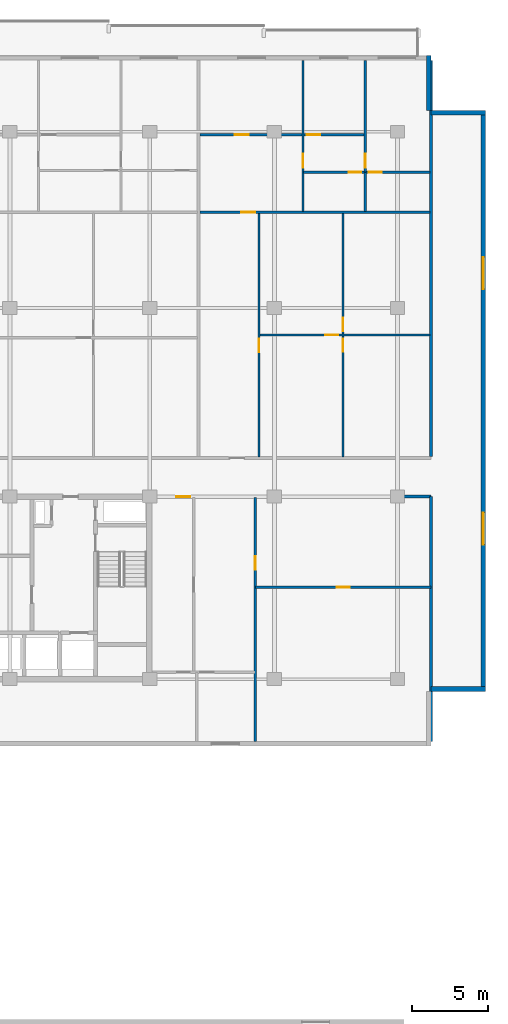
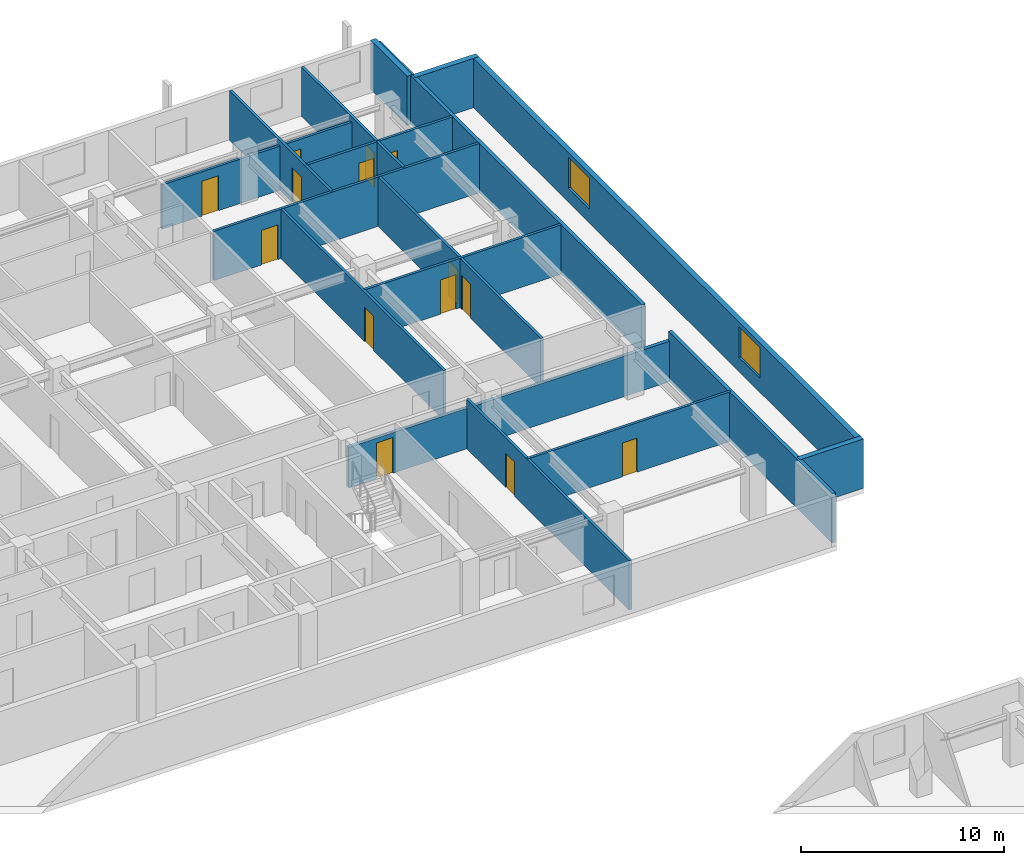
# One storey, part 15 of 21: 18 walls, 14 doors, 2 windows, 16 openings.
"""IFC4 building model written with IfcOpenShell, lengths in metres."""

from ifc_helpers import new_model, si_unit, direction, frame, frame_2d, origin, place, context, subcontext, project, spatial, rectangle, extrude, material, layer, layer_set, type_object, element, fill, save


model = new_model("IFC4")

# Units and contexts
model_context = context("Model", 3, precision=1e-05, world=origin(), true_north=direction((0.0, 1.0)))
body_context = subcontext(model_context, "Body", "Model", "MODEL_VIEW")
ifc_project = project(units=[si_unit("LENGTHUNIT", "METRE"), si_unit("AREAUNIT", "SQUARE_METRE"), si_unit("VOLUMEUNIT", "CUBIC_METRE"), si_unit("PLANEANGLEUNIT", "RADIAN"), si_unit("MASSUNIT", "GRAM", prefix="KILO")], contexts=[model_context])

# Site, building, storey
site_placement = place(None, origin())
site = spatial("IfcSite", under=ifc_project, at=site_placement, CompositionType="ELEMENT")
building_placement = place(site_placement, origin())
building = spatial("IfcBuilding", under=site, at=building_placement, Name="Korimba Cascade Residences", CompositionType="ELEMENT")
storey_placement = place(building_placement, frame((0.0, 0.0, 123.050048828125)))
storey = spatial("IfcBuildingStorey", under=building, at=storey_placement, Name="L35", CompositionType="ELEMENT", Elevation=123.050048828125)

# Wall
ifc_material_1 = material(Name="Precast concrete C40/50", Category="concrete")
ifc_layer_1 = layer(ifc_material_1, 0.300048828125)
ifc_layer_set_1 = layer_set([ifc_layer_1], Name="Precast concrete C40/50")
wall_type_1 = type_object("IfcWallType", Name="EW-STONE-300", PredefinedType="STANDARD", material=ifc_layer_set_1)
wall_1_placement = place(storey_placement, frame((130.60009765625, 54.550048828125, 0.0), z_axis=(0.0, 0.0, 1.0), x_axis=(1.0, 0.0, 0.0)))
element("IfcWall", 1, at=wall_1_placement, inside=storey, type_object=wall_type_1, Name="L35 T1 Perimeter Stone Wall E02", PredefinedType="STANDARD", context=body_context, shape_type="SweptSolid", body=[
    extrude(rectangle(XDim=3.599853515625, YDim=0.300048828125, at=frame_2d((1.7998046875, 0.0))), origin(), (0.0, 0.0, 1.0), 2.969970703125),
])

# Wall, openings, windows
wall_2_placement = place(storey_placement, frame((134.050048828125, 54.39990234375, 0.0), z_axis=(0.0, 0.0, 1.0), x_axis=(0.0, 1.0, 0.0)))
wall_2 = element("IfcWall", 2, at=wall_2_placement, inside=storey, type_object=wall_type_1, Name="L35 T1 Perimeter Stone Wall E03", PredefinedType="STANDARD", context=body_context, shape_type="SweptSolid", body=[
    extrude(rectangle(XDim=38.2001953125, YDim=0.300048828125, at=frame_2d((19.10009765625, 0.0))), origin(), (0.0, 0.0, 1.0), 2.969970703125),
])
opening_1_placement = place(wall_2_placement, frame((9.64599609375, 0.0, 0.85009765625)))
opening_1 = element("IfcOpeningElement", 3, at=opening_1_placement, cuts=wall_2, Name="Opening W-03", PredefinedType="OPENING", context=body_context, shape_type="SweptSolid", body=[
    extrude(rectangle(XDim=2.10009765625, YDim=1.85009765625, at=frame_2d((1.050048828125, 0.925048828125))), frame((0.0, 0.16015625, 0.0), z_axis=(0.0, -1.0, 0.0), x_axis=(1.0, 0.0, 0.0)), (0.0, 0.0, 1.0), 0.320068359375),
])
opening_2_placement = place(wall_2_placement, frame((26.4541015625, 0.0, 0.85009765625)))
opening_2 = element("IfcOpeningElement", 4, at=opening_2_placement, cuts=wall_2, Name="Opening W-03", PredefinedType="OPENING", context=body_context, shape_type="SweptSolid", body=[
    extrude(rectangle(XDim=2.10009765625, YDim=1.85009765625, at=frame_2d((1.050048828125, 0.925048828125))), frame((0.0, 0.16015625, 0.0), z_axis=(0.0, -1.0, 0.0), x_axis=(1.0, 0.0, 0.0)), (0.0, 0.0, 1.0), 0.320068359375),
])
ifc_material_2 = material(Name="Double-Glazed Aluminium Window", Category="aluminium")
window_type = type_object("IfcWindowType", Name="WIN-CRN-2100", PartitioningType="DOUBLE_PANEL_HORIZONTAL", PredefinedType="WINDOW", material=ifc_material_2)
window_1_placement = place(opening_1_placement, origin())
window_1 = element("IfcWindow", 5, at=window_1_placement, inside=storey, type_object=window_type, Name="L35 T1 End View Window 3.1", OverallHeight=1.85009765625, OverallWidth=2.10009765625, PartitioningType="DOUBLE_PANEL_HORIZONTAL", PredefinedType="WINDOW", context=body_context, shape_type="SweptSolid", body=[
    extrude(rectangle(XDim=2.10009765625, YDim=1.85009765625, at=frame_2d((1.050048828125, 0.925048828125))), frame((0.0, 0.030029296875, 0.0), z_axis=(0.0, -1.0, 0.0), x_axis=(1.0, 0.0, 0.0)), (0.0, 0.0, 1.0), 0.06005859375),
])
fill(opening_1, window_1)
window_2_placement = place(opening_2_placement, origin())
window_2 = element("IfcWindow", 6, at=window_2_placement, inside=storey, type_object=window_type, Name="L35 T1 End View Window 3.2", OverallHeight=1.85009765625, OverallWidth=2.10009765625, PartitioningType="DOUBLE_PANEL_HORIZONTAL", PredefinedType="WINDOW", context=body_context, shape_type="SweptSolid", body=[
    extrude(rectangle(XDim=2.10009765625, YDim=1.85009765625, at=frame_2d((1.050048828125, 0.925048828125))), frame((0.0, 0.030029296875, 0.0), z_axis=(0.0, -1.0, 0.0), x_axis=(1.0, 0.0, 0.0)), (0.0, 0.0, 1.0), 0.06005859375),
])
fill(opening_2, window_2)

# Walls
for number, where, z_axis, x_axis, name in (
    (7, (134.199951171875, 92.449951171875, 0.0), (0.0, 0.0, 1.0), (-1.0, 0.0, 0.0), "L35 T1 Perimeter Stone Wall E04"),
    (8, (130.449951171875, 92.60009765625, 0.0), (0.0, 0.0, 1.0), (0.0, 1.0, 0.0), "L35 T1 Perimeter Stone Wall E05"),
):
    element("IfcWall", number, at=place(storey_placement, frame(where, z_axis=z_axis, x_axis=x_axis)), inside=storey, type_object=wall_type_1, Name=name, PredefinedType="STANDARD", context=body_context, shape_type="SweptSolid", body=[
        extrude(rectangle(XDim=3.599853515625, YDim=0.300048828125, at=frame_2d((1.7998046875, 0.0))), origin(), (0.0, 0.0, 1.0), 2.969970703125),
    ])
ifc_layer_2 = layer(ifc_material_1, 0.199951171875)
ifc_layer_set_2 = layer_set([ifc_layer_2], Name="Precast concrete C40/50")
wall_type_2 = type_object("IfcWallType", Name="WAL-IT-200", PredefinedType="PARTITIONING", material=ifc_layer_set_2)
wall_3_placement = place(storey_placement, frame((130.60009765625, 51.10009765625, 0.0), z_axis=(0.0, 0.0, 1.0), x_axis=(0.0, 1.0, 0.0)))
element("IfcWall", 9, at=wall_3_placement, inside=storey, type_object=wall_type_2, Name="L35 Partition Wall WAL-L35-T1-FE-WR", PredefinedType="PARTITIONING", context=body_context, shape_type="SweptSolid", body=[
    extrude(rectangle(XDim=16.099853515625, YDim=0.199951171875, at=frame_2d((8.0498046875, 0.0))), origin(), (0.0, 0.0, 1.0), 2.969970703125),
])

# Wall, opening, door
wall_4_placement = place(storey_placement, frame((112.25, 67.199951171875, 0.0), z_axis=(0.0, 0.0, 1.0), x_axis=(1.0, 0.0, 0.0)))
wall_4 = element("IfcWall", 10, at=wall_4_placement, inside=storey, type_object=wall_type_2, Name="L35 Partition Wall WAL-L35-T1-FE-N", PredefinedType="PARTITIONING", context=body_context, shape_type="SweptSolid", body=[
    extrude(rectangle(XDim=18.35009765625, YDim=0.199951171875, at=frame_2d((9.175048828125, 0.0))), origin(), (0.0, 0.0, 1.0), 2.433349609375),
])
opening_3_placement = place(wall_4_placement, frame((1.580078125, 0.0, 0.0)))
opening_3 = element("IfcOpeningElement", 11, at=opening_3_placement, cuts=wall_4, Name="Opening D-UN1", PredefinedType="OPENING", context=body_context, shape_type="SweptSolid", body=[
    extrude(rectangle(XDim=0.949951171875, YDim=2.14990234375, at=frame_2d((0.47509765625, 1.074951171875))), frame((0.0, 0.10986328125, 0.0), z_axis=(0.0, -1.0, 0.0), x_axis=(1.0, 0.0, 0.0)), (0.0, 0.0, 1.0), 0.219970703125),
])
ifc_material_3 = material(Name="Fire-Rated Hardwood Apartment Entrance Door", Category="wood")
door_type_1 = type_object("IfcDoorType", Name="DR-FD60-950", OperationType="NOTDEFINED", PredefinedType="DOOR", material=ifc_material_3)
door_1_placement = place(opening_3_placement, origin())
door_1 = element("IfcDoor", 12, at=door_1_placement, inside=storey, type_object=door_type_1, Name="L35-T1-FE Entrance Door", OperationType="SINGLE_SWING_RIGHT", OverallHeight=2.14990234375, OverallWidth=0.949951171875, PredefinedType="DOOR", context=body_context, shape_type="SweptSolid", body=[
    extrude(rectangle(XDim=0.949951171875, YDim=2.14990234375, at=frame_2d((0.47509765625, 1.074951171875))), frame((0.0, 0.02490234375, 0.0), z_axis=(0.0, -1.0, 0.0), x_axis=(1.0, 0.0, 0.0)), (0.0, 0.0, 1.0), 0.050048828125),
])
fill(opening_3, door_1)

# Wall
wall_5_placement = place(storey_placement, frame((130.60009765625, 69.830078125, 0.0), z_axis=(0.0, 0.0, 1.0), x_axis=(0.0, 1.0, 0.0)))
element("IfcWall", 13, at=wall_5_placement, inside=storey, type_object=wall_type_2, Name="L35 Partition Wall WAL-L35-T1-BNDWR", PredefinedType="PARTITIONING", context=body_context, shape_type="SweptSolid", body=[
    extrude(rectangle(XDim=26.06982421875, YDim=0.199951171875, at=frame_2d((13.034912109375, 0.0))), origin(), (0.0, 0.0, 1.0), 2.969970703125),
])

# Wall, opening, door
ifc_material_4 = material(Name="Insulated Acoustic Stud Partition", Category="gypsum")
ifc_layer_3 = layer(ifc_material_4, 0.14990234375)
ifc_layer_set_3 = layer_set([ifc_layer_3], Name="Insulated Acoustic Stud Partition")
wall_type_3 = type_object("IfcWallType", Name="WAL-PART-150", PredefinedType="PARTITIONING", material=ifc_layer_set_3)
wall_6_placement = place(storey_placement, frame((119.050048828125, 61.25, 0.0), z_axis=(0.0, 0.0, 1.0), x_axis=(1.0, 0.0, 0.0)))
wall_6 = element("IfcWall", 14, at=wall_6_placement, inside=storey, type_object=wall_type_3, Name="L35 Partition Wall WAL-L35-T1-FE-STH", PredefinedType="PARTITIONING", context=body_context, shape_type="SweptSolid", body=[
    extrude(rectangle(XDim=11.550048828125, YDim=0.14990234375, at=frame_2d((5.77490234375, 0.0))), origin(), (0.0, 0.0, 1.0), 2.969970703125),
])
opening_4_placement = place(wall_6_placement, frame((5.35498046875, 0.0, 0.0)))
opening_4 = element("IfcOpeningElement", 15, at=opening_4_placement, cuts=wall_6, Name="Opening D-BT1", PredefinedType="OPENING", context=body_context, shape_type="SweptSolid", body=[
    extrude(rectangle(XDim=0.840087890625, YDim=2.0400390625, at=frame_2d((0.419921875, 1.02001953125))), frame((0.0, 0.0849609375, 0.0), z_axis=(0.0, -1.0, 0.0), x_axis=(1.0, 0.0, 0.0)), (0.0, 0.0, 1.0), 0.169921875),
])
ifc_material_5 = material(Name="Moisture-Resistant Bathroom Timber Door", Category="wood")
door_type_2 = type_object("IfcDoorType", Name="DR-INT-850", OperationType="NOTDEFINED", PredefinedType="DOOR", material=ifc_material_5)
door_2_placement = place(opening_4_placement, origin())
door_2 = element("IfcDoor", 16, at=door_2_placement, inside=storey, type_object=door_type_2, Name="L35-T1-FE Dressing Store Door", OperationType="SINGLE_SWING_LEFT", OverallHeight=2.0400390625, OverallWidth=0.840087890625, PredefinedType="DOOR", context=body_context, shape_type="SweptSolid", body=[
    extrude(rectangle(XDim=0.840087890625, YDim=2.0400390625, at=frame_2d((0.419921875, 1.02001953125))), frame((0.0, 0.02490234375, 0.0), z_axis=(0.0, -1.0, 0.0), x_axis=(1.0, 0.0, 0.0)), (0.0, 0.0, 1.0), 0.050048828125),
])
fill(opening_4, door_2)

wall_7_placement = place(storey_placement, frame((119.050048828125, 51.10009765625, 0.0), z_axis=(0.0, 0.0, 1.0), x_axis=(0.0, 1.0, 0.0)))
wall_7 = element("IfcWall", 17, at=wall_7_placement, inside=storey, type_object=wall_type_3, Name="L35 Partition Wall WAL-L35-T1-FE-STV", PredefinedType="PARTITIONING", context=body_context, shape_type="SweptSolid", body=[
    extrude(rectangle(XDim=16.0498046875, YDim=0.14990234375, at=frame_2d((8.02490234375, 0.0))), origin(), (0.0, 0.0, 1.0), 2.969970703125),
])
opening_5_placement = place(wall_7_placement, frame((11.300048828125, 0.0, 0.0)))
opening_5 = element("IfcOpeningElement", 18, at=opening_5_placement, cuts=wall_7, Name="Opening D-IN2", PredefinedType="OPENING", context=body_context, shape_type="SweptSolid", body=[
    extrude(rectangle(XDim=0.8798828125, YDim=2.06005859375, at=frame_2d((0.43994140625, 1.030029296875))), frame((0.0, 0.0849609375, 0.0), z_axis=(0.0, -1.0, 0.0), x_axis=(1.0, 0.0, 0.0)), (0.0, 0.0, 1.0), 0.169921875),
])
ifc_material_6 = material(Name="Acoustic Timber Bedroom Door", Category="wood")
door_type_3 = type_object("IfcDoorType", Name="DR-INT-880", OperationType="NOTDEFINED", PredefinedType="DOOR", material=ifc_material_6)
door_3_placement = place(opening_5_placement, origin())
door_3 = element("IfcDoor", 19, at=door_3_placement, inside=storey, type_object=door_type_3, Name="L35-T1-FE Study Door", OperationType="SINGLE_SWING_RIGHT", OverallHeight=2.06005859375, OverallWidth=0.8798828125, PredefinedType="DOOR", context=body_context, shape_type="SweptSolid", body=[
    extrude(rectangle(XDim=0.8798828125, YDim=2.06005859375, at=frame_2d((0.43994140625, 1.030029296875))), frame((0.0, 0.02490234375, 0.0), z_axis=(0.0, -1.0, 0.0), x_axis=(1.0, 0.0, 0.0)), (0.0, 0.0, 1.0), 0.050048828125),
])
fill(opening_5, door_3)

# Wall, openings, doors
wall_8_placement = place(storey_placement, frame((124.8154296875, 69.81005859375, 0.0), z_axis=(0.0, 0.0, 1.0), x_axis=(0.0, 1.0, 0.0)))
wall_8 = element("IfcWall", 20, at=wall_8_placement, inside=storey, type_object=wall_type_3, Name="L35 Partition Wall WAL-L35-T1-U04-FMV", PredefinedType="PARTITIONING", context=body_context, shape_type="SweptSolid", body=[
    extrude(rectangle(XDim=16.050048828125, YDim=0.14990234375, at=frame_2d((8.02490234375, 0.0))), origin(), (0.0, 0.0, 1.0), 2.969970703125),
])
opening_6_placement = place(wall_8_placement, frame((6.93505859375, 0.0, 0.0)))
opening_6 = element("IfcOpeningElement", 21, at=opening_6_placement, cuts=wall_8, Name="Opening D-BT1", PredefinedType="OPENING", context=body_context, shape_type="SweptSolid", body=[
    extrude(rectangle(XDim=0.840087890625, YDim=2.0400390625, at=frame_2d((0.419921875, 1.02001953125))), frame((0.0, 0.0849609375, 0.0), z_axis=(0.0, -1.0, 0.0), x_axis=(1.0, 0.0, 0.0)), (0.0, 0.0, 1.0), 0.169921875),
])
opening_7_placement = place(wall_8_placement, frame((8.27490234375, 0.0, 0.0)))
opening_7 = element("IfcOpeningElement", 22, at=opening_7_placement, cuts=wall_8, Name="Opening D-IN2", PredefinedType="OPENING", context=body_context, shape_type="SweptSolid", body=[
    extrude(rectangle(XDim=0.8798828125, YDim=2.06005859375, at=frame_2d((0.43994140625, 1.030029296875))), frame((0.0, 0.0849609375, 0.0), z_axis=(0.0, -1.0, 0.0), x_axis=(1.0, 0.0, 0.0)), (0.0, 0.0, 1.0), 0.169921875),
])
door_4_placement = place(opening_6_placement, origin())
door_4 = element("IfcDoor", 23, at=door_4_placement, inside=storey, type_object=door_type_2, Name="L35-T1-U04 Wardrobe Door", OperationType="SINGLE_SWING_RIGHT", OverallHeight=2.0400390625, OverallWidth=0.840087890625, PredefinedType="DOOR", context=body_context, shape_type="SweptSolid", body=[
    extrude(rectangle(XDim=0.840087890625, YDim=2.0400390625, at=frame_2d((0.419921875, 1.02001953125))), frame((0.0, 0.02490234375, 0.0), z_axis=(0.0, -1.0, 0.0), x_axis=(1.0, 0.0, 0.0)), (0.0, 0.0, 1.0), 0.050048828125),
])
fill(opening_6, door_4)
door_5_placement = place(opening_7_placement, origin())
door_5 = element("IfcDoor", 24, at=door_5_placement, inside=storey, type_object=door_type_3, Name="L35-T1-U04 Music Lounge Door", OperationType="SINGLE_SWING_LEFT", OverallHeight=2.06005859375, OverallWidth=0.8798828125, PredefinedType="DOOR", context=body_context, shape_type="SweptSolid", body=[
    extrude(rectangle(XDim=0.8798828125, YDim=2.06005859375, at=frame_2d((0.43994140625, 1.030029296875))), frame((0.0, 0.02490234375, 0.0), z_axis=(0.0, -1.0, 0.0), x_axis=(1.0, 0.0, 0.0)), (0.0, 0.0, 1.0), 0.050048828125),
])
fill(opening_7, door_5)

# Wall, opening, door
wall_9_placement = place(storey_placement, frame((119.35107421875, 77.8349609375, 0.0), z_axis=(0.0, 0.0, 1.0), x_axis=(1.0, 0.0, 0.0)))
wall_9 = element("IfcWall", 25, at=wall_9_placement, inside=storey, type_object=wall_type_3, Name="L35 Partition Wall WAL-L35-T1-U04-FMH", PredefinedType="PARTITIONING", context=body_context, shape_type="SweptSolid", body=[
    extrude(rectangle(XDim=11.1689453125, YDim=0.14990234375, at=frame_2d((5.58447265625, 0.0))), origin(), (0.0, 0.0, 1.0), 2.969970703125),
])
opening_8_placement = place(wall_9_placement, frame((4.2841796875, 0.0, 0.0)))
opening_8 = element("IfcOpeningElement", 26, at=opening_8_placement, cuts=wall_9, Name="Opening D-IN2", PredefinedType="OPENING", context=body_context, shape_type="SweptSolid", body=[
    extrude(rectangle(XDim=0.8798828125, YDim=2.06005859375, at=frame_2d((0.43994140625, 1.030029296875))), frame((0.0, 0.0849609375, 0.0), z_axis=(0.0, -1.0, 0.0), x_axis=(1.0, 0.0, 0.0)), (0.0, 0.0, 1.0), 0.169921875),
])
door_6_placement = place(opening_8_placement, origin())
door_6 = element("IfcDoor", 27, at=door_6_placement, inside=storey, type_object=door_type_3, Name="L35-T1-U04 Library Salon Door", OperationType="SINGLE_SWING_RIGHT", OverallHeight=2.06005859375, OverallWidth=0.8798828125, PredefinedType="DOOR", context=body_context, shape_type="SweptSolid", body=[
    extrude(rectangle(XDim=0.8798828125, YDim=2.06005859375, at=frame_2d((0.43994140625, 1.030029296875))), frame((0.0, 0.02490234375, 0.0), z_axis=(0.0, -1.0, 0.0), x_axis=(1.0, 0.0, 0.0)), (0.0, 0.0, 1.0), 0.050048828125),
])
fill(opening_8, door_6)

wall_10_placement = place(storey_placement, frame((119.291015625, 69.81005859375, 0.0), z_axis=(0.0, 0.0, 1.0), x_axis=(0.0, 1.0, 0.0)))
wall_10 = element("IfcWall", 28, at=wall_10_placement, inside=storey, type_object=wall_type_3, Name="L35 Partition Wall WAL-L35-T1-U04-FV", PredefinedType="PARTITIONING", context=body_context, shape_type="SweptSolid", body=[
    extrude(rectangle(XDim=16.050048828125, YDim=0.14990234375, at=frame_2d((8.02490234375, 0.0))), origin(), (0.0, 0.0, 1.0), 2.969970703125),
])
opening_9_placement = place(wall_10_placement, frame((6.89501953125, 0.0, 0.0)))
opening_9 = element("IfcOpeningElement", 29, at=opening_9_placement, cuts=wall_10, Name="Opening D-IN2", PredefinedType="OPENING", context=body_context, shape_type="SweptSolid", body=[
    extrude(rectangle(XDim=0.8798828125, YDim=2.06005859375, at=frame_2d((0.43994140625, 1.030029296875))), frame((0.0, 0.0849609375, 0.0), z_axis=(0.0, -1.0, 0.0), x_axis=(1.0, 0.0, 0.0)), (0.0, 0.0, 1.0), 0.169921875),
])
door_7_placement = place(opening_9_placement, origin())
door_7 = element("IfcDoor", 30, at=door_7_placement, inside=storey, type_object=door_type_3, Name="L35-T1-U04 Media Lounge Door", OperationType="SINGLE_SWING_LEFT", OverallHeight=2.06005859375, OverallWidth=0.8798828125, PredefinedType="DOOR", context=body_context, shape_type="SweptSolid", body=[
    extrude(rectangle(XDim=0.8798828125, YDim=2.06005859375, at=frame_2d((0.43994140625, 1.030029296875))), frame((0.0, 0.02490234375, 0.0), z_axis=(0.0, -1.0, 0.0), x_axis=(1.0, 0.0, 0.0)), (0.0, 0.0, 1.0), 0.050048828125),
])
fill(opening_9, door_7)

wall_11_placement = place(storey_placement, frame((122.179931640625, 85.93994140625, 0.0), z_axis=(0.0, 0.0, 1.0), x_axis=(0.0, 1.0, 0.0)))
wall_11 = element("IfcWall", 31, at=wall_11_placement, inside=storey, type_object=wall_type_3, Name="L35 Partition Wall WAL-L35-T1-U04-V1", PredefinedType="PARTITIONING", context=body_context, shape_type="SweptSolid", body=[
    extrude(rectangle(XDim=9.9599609375, YDim=0.14990234375, at=frame_2d((4.97998046875, 0.0))), origin(), (0.0, 0.0, 1.0), 2.969970703125),
])
opening_10_placement = place(wall_11_placement, frame((2.8798828125, 0.0, 0.0)))
opening_10 = element("IfcOpeningElement", 32, at=opening_10_placement, cuts=wall_11, Name="Opening D-IN1", PredefinedType="OPENING", context=body_context, shape_type="SweptSolid", body=[
    extrude(rectangle(XDim=0.919921875, YDim=2.080078125, at=frame_2d((0.4599609375, 1.0400390625))), frame((0.0, 0.0849609375, 0.0), z_axis=(0.0, -1.0, 0.0), x_axis=(1.0, 0.0, 0.0)), (0.0, 0.0, 1.0), 0.169921875),
])
ifc_material_7 = material(Name="Acoustic Timber Living Door", Category="wood")
door_type_4 = type_object("IfcDoorType", Name="DR-INT-920", OperationType="NOTDEFINED", PredefinedType="DOOR", material=ifc_material_7)
door_8_placement = place(opening_10_placement, origin())
door_8 = element("IfcDoor", 33, at=door_8_placement, inside=storey, type_object=door_type_4, Name="L35-T1-U04 Hallway Door", OperationType="SINGLE_SWING_RIGHT", OverallHeight=2.080078125, OverallWidth=0.919921875, PredefinedType="DOOR", context=body_context, shape_type="SweptSolid", body=[
    extrude(rectangle(XDim=0.919921875, YDim=2.080078125, at=frame_2d((0.4599609375, 1.0400390625))), frame((0.0, 0.02490234375, 0.0), z_axis=(0.0, -1.0, 0.0), x_axis=(1.0, 0.0, 0.0)), (0.0, 0.0, 1.0), 0.050048828125),
])
fill(opening_10, door_8)

# Wall
wall_12_placement = place(storey_placement, frame((126.26904296875, 85.93994140625, 0.0), z_axis=(0.0, 0.0, 1.0), x_axis=(0.0, 1.0, 0.0)))
element("IfcWall", 34, at=wall_12_placement, inside=storey, type_object=wall_type_3, Name="L35 Partition Wall WAL-L35-T1-U04-VBATH", PredefinedType="PARTITIONING", context=body_context, shape_type="SweptSolid", body=[
    extrude(rectangle(XDim=2.580078125, YDim=0.14990234375, at=frame_2d((1.2900390625, 0.0))), origin(), (0.0, 0.0, 1.0), 2.969970703125),
])

# Wall, opening, door
wall_13_placement = place(storey_placement, frame((126.26904296875, 88.56005859375, 0.0), z_axis=(0.0, 0.0, 1.0), x_axis=(0.0, 1.0, 0.0)))
wall_13 = element("IfcWall", 35, at=wall_13_placement, inside=storey, type_object=wall_type_3, Name="L35 Partition Wall WAL-L35-T1-U04-V2FULL", PredefinedType="PARTITIONING", context=body_context, shape_type="SweptSolid", body=[
    extrude(rectangle(XDim=7.33984375, YDim=0.14990234375, at=frame_2d((3.669921875, 0.0))), origin(), (0.0, 0.0, 1.0), 2.969970703125),
])
opening_11_placement = place(wall_13_placement, frame((0.260009765625, 0.0, 0.0)))
opening_11 = element("IfcOpeningElement", 36, at=opening_11_placement, cuts=wall_13, Name="Opening D-IN1", PredefinedType="OPENING", context=body_context, shape_type="SweptSolid", body=[
    extrude(rectangle(XDim=0.919921875, YDim=2.080078125, at=frame_2d((0.4599609375, 1.0400390625))), frame((0.0, 0.0849609375, 0.0), z_axis=(0.0, -1.0, 0.0), x_axis=(1.0, 0.0, 0.0)), (0.0, 0.0, 1.0), 0.169921875),
])
door_9_placement = place(opening_11_placement, origin())
door_9 = element("IfcDoor", 37, at=door_9_placement, inside=storey, type_object=door_type_4, Name="L35-T1-U04 Master Bedroom Door", OperationType="SINGLE_SWING_LEFT", OverallHeight=2.080078125, OverallWidth=0.919921875, PredefinedType="DOOR", context=body_context, shape_type="SweptSolid", body=[
    extrude(rectangle(XDim=0.919921875, YDim=2.080078125, at=frame_2d((0.4599609375, 1.0400390625))), frame((0.0, 0.02490234375, 0.0), z_axis=(0.0, -1.0, 0.0), x_axis=(1.0, 0.0, 0.0)), (0.0, 0.0, 1.0), 0.050048828125),
])
fill(opening_11, door_9)

# Wall, openings, doors
wall_14_placement = place(storey_placement, frame((122.219970703125, 88.5400390625, 0.0), z_axis=(0.0, 0.0, 1.0), x_axis=(1.0, 0.0, 0.0)))
wall_14 = element("IfcWall", 38, at=wall_14_placement, inside=storey, type_object=wall_type_3, Name="L35 Partition Wall WAL-L35-T1-U04-HWALL", PredefinedType="PARTITIONING", context=body_context, shape_type="SweptSolid", body=[
    extrude(rectangle(XDim=8.300048828125, YDim=0.14990234375, at=frame_2d((4.14990234375, 0.0))), origin(), (0.0, 0.0, 1.0), 2.969970703125),
])
opening_12_placement = place(wall_14_placement, frame((2.958984375, 0.0, 0.0)))
opening_12 = element("IfcOpeningElement", 39, at=opening_12_placement, cuts=wall_14, Name="Opening D-BT1", PredefinedType="OPENING", context=body_context, shape_type="SweptSolid", body=[
    extrude(rectangle(XDim=0.840087890625, YDim=2.0400390625, at=frame_2d((0.419921875, 1.02001953125))), frame((0.0, 0.0849609375, 0.0), z_axis=(0.0, -1.0, 0.0), x_axis=(1.0, 0.0, 0.0)), (0.0, 0.0, 1.0), 0.169921875),
])
opening_13_placement = place(wall_14_placement, frame((4.299072265625, 0.0, 0.0)))
opening_13 = element("IfcOpeningElement", 40, at=opening_13_placement, cuts=wall_14, Name="Opening D-BT1", PredefinedType="OPENING", context=body_context, shape_type="SweptSolid", body=[
    extrude(rectangle(XDim=0.840087890625, YDim=2.0400390625, at=frame_2d((0.419921875, 1.02001953125))), frame((0.0, 0.0849609375, 0.0), z_axis=(0.0, -1.0, 0.0), x_axis=(1.0, 0.0, 0.0)), (0.0, 0.0, 1.0), 0.169921875),
])
door_10_placement = place(opening_12_placement, origin())
door_10 = element("IfcDoor", 41, at=door_10_placement, inside=storey, type_object=door_type_2, Name="L35-T1-U04 Family Bathroom Door", OperationType="SINGLE_SWING_RIGHT", OverallHeight=2.0400390625, OverallWidth=0.840087890625, PredefinedType="DOOR", context=body_context, shape_type="SweptSolid", body=[
    extrude(rectangle(XDim=0.840087890625, YDim=2.0400390625, at=frame_2d((0.419921875, 1.02001953125))), frame((0.0, 0.02490234375, 0.0), z_axis=(0.0, -1.0, 0.0), x_axis=(1.0, 0.0, 0.0)), (0.0, 0.0, 1.0), 0.050048828125),
])
fill(opening_12, door_10)
door_11_placement = place(opening_13_placement, origin())
door_11 = element("IfcDoor", 42, at=door_11_placement, inside=storey, type_object=door_type_2, Name="L35-T1-U04 En-Suite Door", OperationType="SINGLE_SWING_LEFT", OverallHeight=2.0400390625, OverallWidth=0.840087890625, PredefinedType="DOOR", context=body_context, shape_type="SweptSolid", body=[
    extrude(rectangle(XDim=0.840087890625, YDim=2.0400390625, at=frame_2d((0.419921875, 1.02001953125))), frame((0.0, 0.02490234375, 0.0), z_axis=(0.0, -1.0, 0.0), x_axis=(1.0, 0.0, 0.0)), (0.0, 0.0, 1.0), 0.050048828125),
])
fill(opening_13, door_11)

# Wall, opening, door
wall_15_placement = place(storey_placement, frame((115.401123046875, 85.89990234375, 0.0), z_axis=(0.0, 0.0, 1.0), x_axis=(1.0, 0.0, 0.0)))
wall_15 = element("IfcWall", 43, at=wall_15_placement, inside=storey, type_object=wall_type_3, Name="L35 Partition Wall WAL-L35-T1-U04-MW", PredefinedType="PARTITIONING", context=body_context, shape_type="SweptSolid", body=[
    extrude(rectangle(XDim=15.118896484375, YDim=0.14990234375, at=frame_2d((7.5595703125, 0.0))), origin(), (0.0, 0.0, 1.0), 2.969970703125),
])
opening_14_placement = place(wall_15_placement, frame((2.719970703125, 0.0, 0.0)))
opening_14 = element("IfcOpeningElement", 44, at=opening_14_placement, cuts=wall_15, Name="Opening D-IN1", PredefinedType="OPENING", context=body_context, shape_type="SweptSolid", body=[
    extrude(rectangle(XDim=0.919921875, YDim=2.080078125, at=frame_2d((0.4599609375, 1.0400390625))), frame((0.0, 0.0849609375, 0.0), z_axis=(0.0, -1.0, 0.0), x_axis=(1.0, 0.0, 0.0)), (0.0, 0.0, 1.0), 0.169921875),
])
door_12_placement = place(opening_14_placement, origin())
door_12 = element("IfcDoor", 45, at=door_12_placement, inside=storey, type_object=door_type_4, Name="L35-T1-U04 Kitchen Door", OperationType="SINGLE_SWING_RIGHT", OverallHeight=2.080078125, OverallWidth=0.919921875, PredefinedType="DOOR", context=body_context, shape_type="SweptSolid", body=[
    extrude(rectangle(XDim=0.919921875, YDim=2.080078125, at=frame_2d((0.4599609375, 1.0400390625))), frame((0.0, 0.02490234375, 0.0), z_axis=(0.0, -1.0, 0.0), x_axis=(1.0, 0.0, 0.0)), (0.0, 0.0, 1.0), 0.050048828125),
])
fill(opening_14, door_12)

# Wall, openings, doors
wall_16_placement = place(storey_placement, frame((115.401123046875, 91.0, 0.0), z_axis=(0.0, 0.0, 1.0), x_axis=(1.0, 0.0, 0.0)))
wall_16 = element("IfcWall", 46, at=wall_16_placement, inside=storey, type_object=wall_type_3, Name="L35 Partition Wall WAL-L35-T1-U04-HZ", PredefinedType="PARTITIONING", context=body_context, shape_type="SweptSolid", body=[
    extrude(rectangle(XDim=10.867919921875, YDim=0.14990234375, at=frame_2d((5.43408203125, 0.0))), origin(), (0.0, 0.0, 1.0), 2.663330078125),
])
opening_15_placement = place(wall_16_placement, frame((2.27880859375, 0.0, 0.0)))
opening_15 = element("IfcOpeningElement", 47, at=opening_15_placement, cuts=wall_16, Name="Opening D-IN0", PredefinedType="OPENING", context=body_context, shape_type="SweptSolid", body=[
    extrude(rectangle(XDim=0.93994140625, YDim=2.10009765625, at=frame_2d((0.469970703125, 1.050048828125))), frame((0.0, 0.0849609375, 0.0), z_axis=(0.0, -1.0, 0.0), x_axis=(1.0, 0.0, 0.0)), (0.0, 0.0, 1.0), 0.169921875),
])
opening_16_placement = place(wall_16_placement, frame((7.02880859375, 0.0, 0.0)))
opening_16 = element("IfcOpeningElement", 48, at=opening_16_placement, cuts=wall_16, Name="Opening D-IN2", PredefinedType="OPENING", context=body_context, shape_type="SweptSolid", body=[
    extrude(rectangle(XDim=0.8798828125, YDim=2.06005859375, at=frame_2d((0.43994140625, 1.030029296875))), frame((0.0, 0.0849609375, 0.0), z_axis=(0.0, -1.0, 0.0), x_axis=(1.0, 0.0, 0.0)), (0.0, 0.0, 1.0), 0.169921875),
])
door_13_placement = place(opening_16_placement, origin())
door_13 = element("IfcDoor", 49, at=door_13_placement, inside=storey, type_object=door_type_3, Name="L35-T1-U04 Bedroom 2 Door", OperationType="SINGLE_SWING_RIGHT", OverallHeight=2.06005859375, OverallWidth=0.8798828125, PredefinedType="DOOR", context=body_context, shape_type="SweptSolid", body=[
    extrude(rectangle(XDim=0.8798828125, YDim=2.06005859375, at=frame_2d((0.43994140625, 1.030029296875))), frame((0.0, 0.02490234375, 0.0), z_axis=(0.0, -1.0, 0.0), x_axis=(1.0, 0.0, 0.0)), (0.0, 0.0, 1.0), 0.050048828125),
])
fill(opening_16, door_13)
ifc_material_8 = material(Name="Acoustic Timber Living Archway Door", Category="wood")
door_type_5 = type_object("IfcDoorType", Name="DR-INT-950", OperationType="NOTDEFINED", PredefinedType="DOOR", material=ifc_material_8)
door_14_placement = place(opening_15_placement, origin())
door_14 = element("IfcDoor", 50, at=door_14_placement, inside=storey, type_object=door_type_5, Name="L35-T1-U04 Living Room Door", OperationType="SINGLE_SWING_LEFT", OverallHeight=2.10009765625, OverallWidth=0.93994140625, PredefinedType="DOOR", context=body_context, shape_type="SweptSolid", body=[
    extrude(rectangle(XDim=0.93994140625, YDim=2.10009765625, at=frame_2d((0.469970703125, 1.050048828125))), frame((0.0, 0.02490234375, 0.0), z_axis=(0.0, -1.0, 0.0), x_axis=(1.0, 0.0, 0.0)), (0.0, 0.0, 1.0), 0.050048828125),
])
fill(opening_15, door_14)

save(model, "model.ifc")
